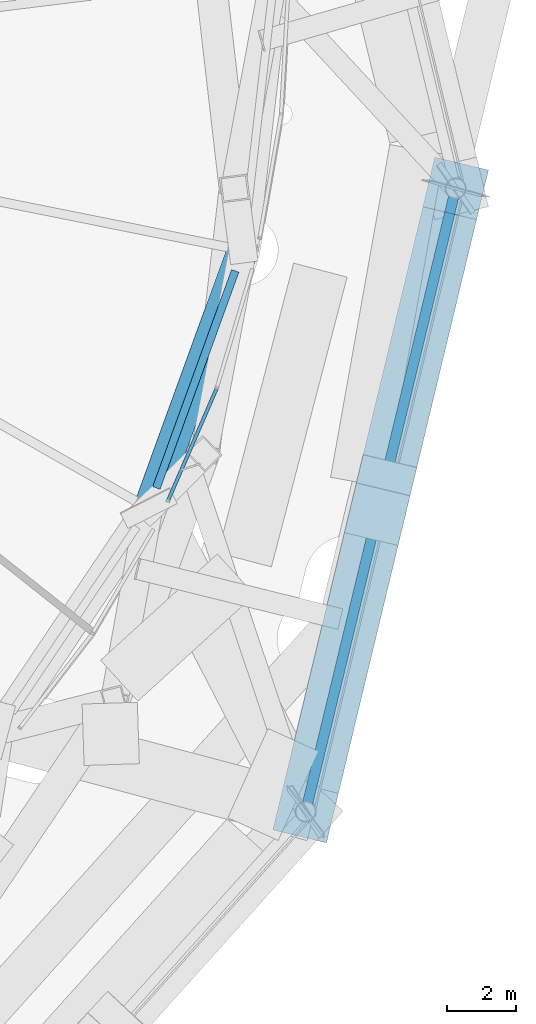
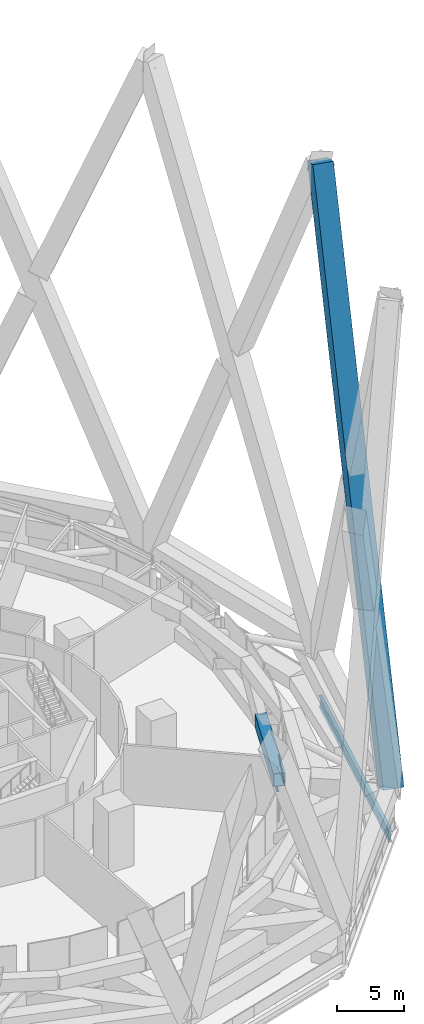
# One storey, part 13 of 65: 3 beams, 2 members, 1 element without a shape of its own.
"""IFC4 building model written with IfcOpenShell, lengths in metres."""

from ifc_helpers import new_model, si_unit, direction, frame, origin, origin_2d, place, context, subcontext, project, spatial, rectangle, hollow_rectangle, i_section, extrude, material, layer, layer_set, material_profile, profile_set, type_object, element, aggregate, save


model = new_model("IFC4")

# Units and contexts
model_context = context("Model", 3, precision=1e-05, world=origin(), true_north=direction((0.0, 1.0)))
body_context = subcontext(model_context, "Body", "Model", "MODEL_VIEW")
ifc_project = project(units=[si_unit("LENGTHUNIT", "METRE"), si_unit("AREAUNIT", "SQUARE_METRE"), si_unit("VOLUMEUNIT", "CUBIC_METRE"), si_unit("PLANEANGLEUNIT", "RADIAN"), si_unit("MASSUNIT", "GRAM", prefix="KILO")], contexts=[model_context])

# Site, building, storey
site_placement = place(None, origin())
site = spatial("IfcSite", under=ifc_project, at=site_placement, CompositionType="ELEMENT")
building_placement = place(site_placement, origin())
building = spatial("IfcBuilding", under=site, at=building_placement, Name="Nagisa Residences", CompositionType="ELEMENT")
storey_placement = place(building_placement, frame((0.0, 0.0, 114.0)))
storey = spatial("IfcBuildingStorey", under=building, at=storey_placement, Name="L28", CompositionType="ELEMENT", Elevation=114.0)

# Beam
ifc_material_1 = material(Name="Steel ASTM A572 Gr 50", Category="steel")
ifc_material_profile_1 = material_profile(ifc_material_1, hollow_rectangle(XDim=0.89990234375, YDim=1.199951171875, WallThickness=0.050048828125, at=origin_2d()), Name="BX 900x1200x50")
ifc_profile_set_1 = profile_set([ifc_material_profile_1], Name="Steel ASTM A572 Gr 50")
beam_type_1 = type_object("IfcBeamType", Name="Belt chord 2 BX 900x1200x50", PredefinedType="BEAM", material=ifc_profile_set_1)
beam_1_placement = place(storey_placement, frame((21.75146484375, -12.389892578125, 0.60009765625), z_axis=(0.341378490928, 0.939925915129, 0.0), x_axis=(-0.939925915129, 0.341378490928, 0.0)))
element("IfcBeam", 1, at=beam_1_placement, inside=storey, type_object=beam_type_1, Name="beam:L28:bt2b23", PredefinedType="BEAM", context=body_context, shape_type="SweptSolid", body=[
    extrude(hollow_rectangle(XDim=0.89990234375, YDim=1.199951171875, WallThickness=0.050048828125, at=origin_2d()), origin(), (0.0, 0.0, 1.0), 7.958251953125),
])

# Curtain wall, member
ifc_material_2 = material(Name="Aluminium curtain wall system", Category="aluminium")
ifc_layer = layer(ifc_material_2, 0.159912109375)
ifc_layer_set = layer_set([ifc_layer], Name="CW5 CURTAIN WALL")
curtain_wall_type = type_object("IfcCurtainWallType", Name="CW5 CURTAIN WALL", PredefinedType="NOTDEFINED", material=ifc_layer_set)
curtain_wall_placement = place(storey_placement, origin())
curtain_wall = element("IfcCurtainWall", 2, at=curtain_wall_placement, inside=storey, type_object=curtain_wall_type, Name="cw:CW5:L28:44", PredefinedType="NOTDEFINED")
ifc_material_3 = material(Name="Aluminium", Category="aluminium")
ifc_material_profile_2 = material_profile(ifc_material_3, rectangle(XDim=0.10009765625, YDim=0.1201171875, at=origin_2d()), Name="CW5 TRANSOM 100x120")
ifc_profile_set_2 = profile_set([ifc_material_profile_2], Name="Aluminium")
member_type_1 = type_object("IfcMemberType", Name="CW5 TRANSOM 100x120", PredefinedType="USERDEFINED", material=ifc_profile_set_2)
member_1_placement = place(storey_placement, frame((22.2900390625, -12.195068359375, 0.06005859375), z_axis=(0.397628492041, 0.917546501447, 0.0), x_axis=(-0.917546501447, 0.397628492041, 0.0)))
member_1 = element("IfcMember", 3, at=member_1_placement, type_object=member_type_1, Name="CW5 transom", ObjectType="TRANSOM", PredefinedType="USERDEFINED", context=body_context, shape_type="SweptSolid", body=[
    extrude(rectangle(XDim=0.10009765625, YDim=0.1201171875, at=origin_2d()), origin(), (0.0, 0.0, 1.0), 3.57958984375),
])
aggregate(curtain_wall, [member_1])

# Member
ifc_material_4 = material(Name="Concrete C80", Category="concrete")
ifc_material_profile_3 = material_profile(ifc_material_4, rectangle(XDim=1.60009765625, YDim=1.60009765625, at=origin_2d()), Name="C80 1600x1600")
ifc_profile_set_3 = profile_set([ifc_material_profile_3], Name="Concrete C80")
member_type_2 = type_object("IfcMemberType", Name="Cage diagonal 3 C80 1600x1600", PredefinedType="BRACE", material=ifc_profile_set_3)
member_2_placement = place(storey_placement, frame((26.28955078125, -21.165283203125, 3.699951171875), z_axis=(0.090123544947, 0.374302085124, 0.922916949524), x_axis=(-0.972215489742, 0.234087679097, 0.0)))
element("IfcMember", 4, at=member_2_placement, inside=storey, type_object=member_type_2, Name="mem:L28:cg3d023", PredefinedType="BRACE", context=body_context, shape_type="SweptSolid", body=[
    extrude(rectangle(XDim=1.60009765625, YDim=1.60009765625, at=origin_2d()), origin(), (0.0, 0.0, 1.0), 48.216796875),
])

# Beams
ifc_material_5 = material(Name="Steel ASTM A572 Gr 50", Category="steel")
ifc_material_profile_4 = material_profile(ifc_material_5, i_section(OverallWidth=0.300048828125, OverallDepth=0.97998046875, WebThickness=0.0166015625, FlangeThickness=0.02587890625, at=origin_2d()), Name="W1000x249")
ifc_profile_set_4 = profile_set([ifc_material_profile_4], Name="Steel ASTM A572 Gr 50")
beam_type_2 = type_object("IfcBeamType", Name="Deck edge beam W1000x249", PredefinedType="BEAM", material=ifc_profile_set_4)
beam_2_placement = place(storey_placement, frame((26.28955078125, -21.165283203125, -0.889892578125), z_axis=(0.234087679097, 0.972215489742, 0.0), x_axis=(-0.972215489742, 0.234087679097, 0.0)))
element("IfcBeam", 5, at=beam_2_placement, inside=storey, type_object=beam_type_2, Name="beam:L28:deckedge10", PredefinedType="BEAM", context=body_context, shape_type="SweptSolid", body=[
    extrude(i_section(OverallWidth=0.300048828125, OverallDepth=0.97998046875, WebThickness=0.0166015625, FlangeThickness=0.02587890625, at=origin_2d()), origin(), (0.0, 0.0, 1.0), 18.5634765625),
])
ifc_material_6 = material(Name="Steel ASTM A572 Gr 50", Category="steel")
ifc_material_profile_5 = material_profile(ifc_material_6, i_section(OverallWidth=0.22900390625, OverallDepth=0.612060546875, WebThickness=0.011962890625, FlangeThickness=0.01953125, at=origin_2d()), Name="W610x125")
ifc_profile_set_5 = profile_set([ifc_material_profile_5], Name="Steel ASTM A572 Gr 50")
beam_type_3 = type_object("IfcBeamType", Name="Perimeter ring beam W610x125", PredefinedType="BEAM", material=ifc_profile_set_5)
beam_3_placement = place(storey_placement, frame((21.96826171875, -11.793212890625, -0.656005859375), z_axis=(0.341365002286, 0.939930814057, 0.0), x_axis=(-0.939930814057, 0.341365002286, 0.0)))
element("IfcBeam", 6, at=beam_3_placement, inside=storey, type_object=beam_type_3, Name="beam:L28:pb23", PredefinedType="BEAM", context=body_context, shape_type="SweptSolid", body=[
    extrude(i_section(OverallWidth=0.22900390625, OverallDepth=0.612060546875, WebThickness=0.011962890625, FlangeThickness=0.01953125, at=origin_2d()), origin(), (0.0, 0.0, 1.0), 6.689208984375),
])

save(model, "model.ifc")
